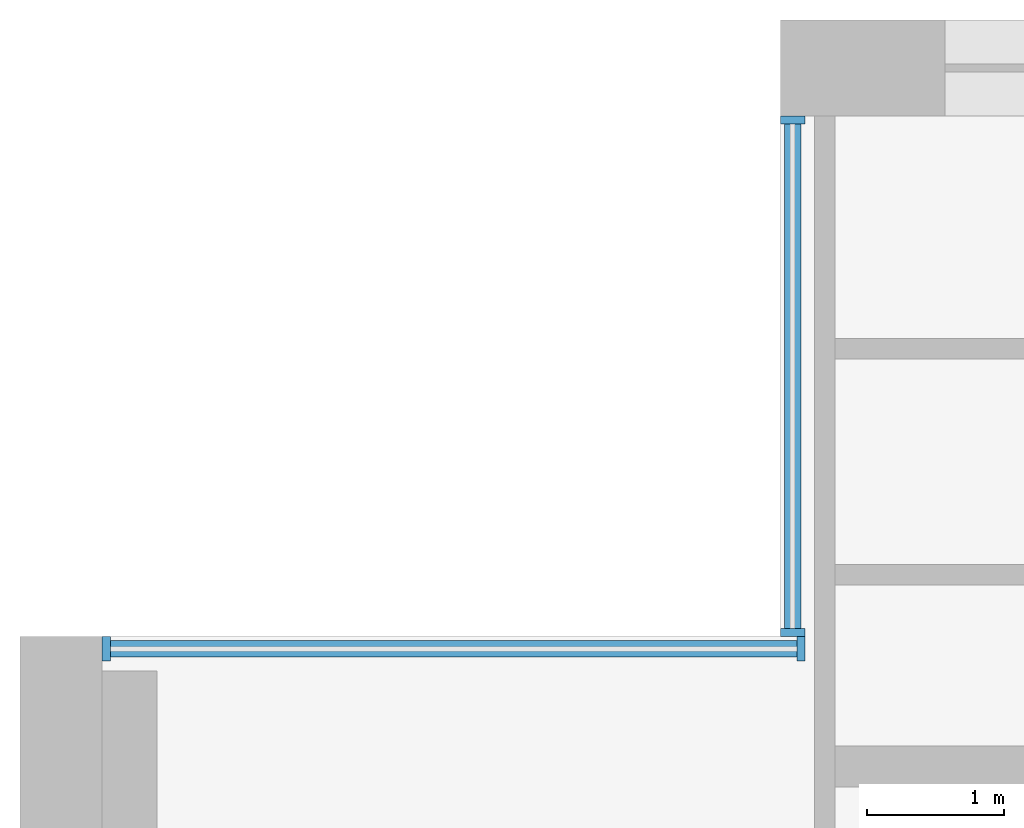
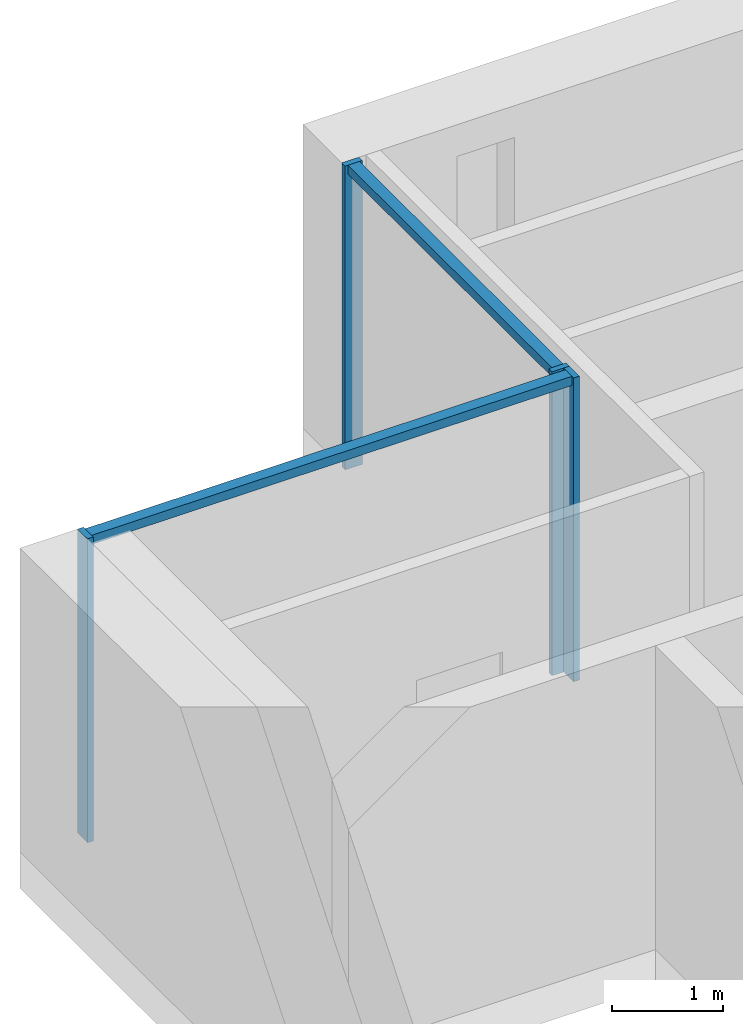
# One storey, part 4 of 17: 6 members, 2 elements without a shape of their own.
"""IFC4 building model written with IfcOpenShell, lengths in metres."""

from ifc_helpers import new_model, si_unit, direction, frame, origin, origin_2d, place, context, subcontext, project, spatial, rectangle, extrude, material, material_profile, profile_set, type_object, element, aggregate, save


model = new_model("IFC4")

# Units and contexts
model_context = context("Model", 3, precision=1e-05, world=origin(), true_north=direction((0.0, 1.0)))
body_context = subcontext(model_context, "Body", "Model", "MODEL_VIEW")
ifc_project = project(units=[si_unit("LENGTHUNIT", "METRE"), si_unit("AREAUNIT", "SQUARE_METRE"), si_unit("VOLUMEUNIT", "CUBIC_METRE"), si_unit("PLANEANGLEUNIT", "RADIAN"), si_unit("MASSUNIT", "GRAM", prefix="KILO")], contexts=[model_context])

# Site, building, storey
site_placement = place(None, origin())
site = spatial("IfcSite", under=ifc_project, at=site_placement, CompositionType="ELEMENT")
building_placement = place(site_placement, origin())
building = spatial("IfcBuilding", under=site, at=building_placement, Name="Calvaro Tower", CompositionType="ELEMENT")
storey_placement = place(building_placement, frame((0.0, 0.0, 215.5)))
storey = spatial("IfcBuildingStorey", under=building, at=storey_placement, Name="L54", CompositionType="ELEMENT", Elevation=215.5)

# Curtain wall, members
ifc_material_1 = material(Name="Anodised aluminium", Category="aluminium")
curtain_wall_type = type_object("IfcCurtainWallType", Name="Office curtain wall, upper zone", PredefinedType="NOTDEFINED", material=ifc_material_1)
curtain_wall_1_placement = place(storey_placement, origin())
curtain_wall_1 = element("IfcCurtainWall", 1, at=curtain_wall_1_placement, inside=storey, type_object=curtain_wall_type, Name="CW3 corner curtain wall", PredefinedType="NOTDEFINED")
ifc_material_2 = material(Name="Anodised aluminium", Category="aluminium")
ifc_material_profile_1 = material_profile(ifc_material_2, rectangle(XDim=0.179931640625, YDim=0.06005859375, at=origin_2d()), Name="Mullion S3 60 x 180")
ifc_profile_set_1 = profile_set([ifc_material_profile_1], Name="Anodised aluminium")
member_type_1 = type_object("IfcMemberType", Name="Mullion S3 60 x 180", PredefinedType="MULLION", material=ifc_profile_set_1)
member_1_placement = place(storey_placement, frame((11.639892578125, 41.530029296875, 0.0), z_axis=(0.0, 0.0, 1.0), x_axis=(-1.0, 0.0, 0.0)))
member_1 = element("IfcMember", 2, at=member_1_placement, type_object=member_type_1, Name="CW3 mullion 1", PredefinedType="MULLION", context=body_context, shape_type="SweptSolid", body=[
    extrude(rectangle(XDim=0.179931640625, YDim=0.06005859375, at=origin_2d()), origin(), (0.0, 0.0, 1.0), 3.35009765625),
])
member_2_placement = place(storey_placement, frame((11.639892578125, 45.27001953125, 0.0), z_axis=(0.0, 0.0, 1.0), x_axis=(-1.0, 0.0, 0.0)))
member_2 = element("IfcMember", 3, at=member_2_placement, type_object=member_type_1, Name="CW3 mullion 2", PredefinedType="MULLION", context=body_context, shape_type="SweptSolid", body=[
    extrude(rectangle(XDim=0.179931640625, YDim=0.06005859375, at=origin_2d()), origin(), (0.0, 0.0, 1.0), 3.35009765625),
])

curtain_wall_2_placement = place(storey_placement, origin())
curtain_wall_2 = element("IfcCurtainWall", 4, at=curtain_wall_2_placement, inside=storey, type_object=curtain_wall_type, Name="CW3 corner curtain wall", PredefinedType="NOTDEFINED")
member_3_placement = place(storey_placement, frame((6.6298828125, 41.409912109375, 0.0), z_axis=(0.0, 0.0, 1.0), x_axis=(0.0, 1.0, 0.0)))
member_3 = element("IfcMember", 5, at=member_3_placement, type_object=member_type_1, Name="CW3 mullion 1", PredefinedType="MULLION", context=body_context, shape_type="SweptSolid", body=[
    extrude(rectangle(XDim=0.179931640625, YDim=0.06005859375, at=origin_2d()), origin(), (0.0, 0.0, 1.0), 3.35009765625),
])
member_4_placement = place(storey_placement, frame((11.699951171875, 41.409912109375, 0.0), z_axis=(0.0, 0.0, 1.0), x_axis=(0.0, 1.0, 0.0)))
member_4 = element("IfcMember", 6, at=member_4_placement, type_object=member_type_1, Name="CW3 mullion 2", PredefinedType="MULLION", context=body_context, shape_type="SweptSolid", body=[
    extrude(rectangle(XDim=0.179931640625, YDim=0.06005859375, at=origin_2d()), origin(), (0.0, 0.0, 1.0), 3.35009765625),
])

# Member
ifc_material_3 = material(Name="Anodised aluminium", Category="aluminium")
ifc_material_profile_2 = material_profile(ifc_material_3, rectangle(XDim=0.1201171875, YDim=0.10009765625, at=origin_2d()), Name="Transom S3 100 x 120")
ifc_profile_set_2 = profile_set([ifc_material_profile_2], Name="Anodised aluminium")
member_type_2 = type_object("IfcMemberType", Name="Transom S3 100 x 120", PredefinedType="USERDEFINED", material=ifc_profile_set_2)
member_5_placement = place(storey_placement, frame((11.639892578125, 41.56005859375, 3.300048828125), z_axis=(0.0, 1.0, 0.0), x_axis=(-1.0, 0.0, 0.0)))
member_5 = element("IfcMember", 7, at=member_5_placement, type_object=member_type_2, Name="CW3 transom 1.1", ObjectType="TRANSOM", PredefinedType="USERDEFINED", context=body_context, shape_type="SweptSolid", body=[
    extrude(rectangle(XDim=0.1201171875, YDim=0.10009765625, at=origin_2d()), origin(), (0.0, 0.0, 1.0), 3.679931640625),
])

aggregate(curtain_wall_1, [member_1, member_2, member_5])

member_6_placement = place(storey_placement, frame((6.659912109375, 41.409912109375, 3.300048828125), z_axis=(1.0, 0.0, 0.0), x_axis=(0.0, 1.0, 0.0)))
member_6 = element("IfcMember", 8, at=member_6_placement, type_object=member_type_2, Name="CW3 transom 1.1", ObjectType="TRANSOM", PredefinedType="USERDEFINED", context=body_context, shape_type="SweptSolid", body=[
    extrude(rectangle(XDim=0.1201171875, YDim=0.10009765625, at=origin_2d()), origin(), (0.0, 0.0, 1.0), 5.010009765625),
])

aggregate(curtain_wall_2, [member_3, member_4, member_6])

save(model, "model.ifc")
